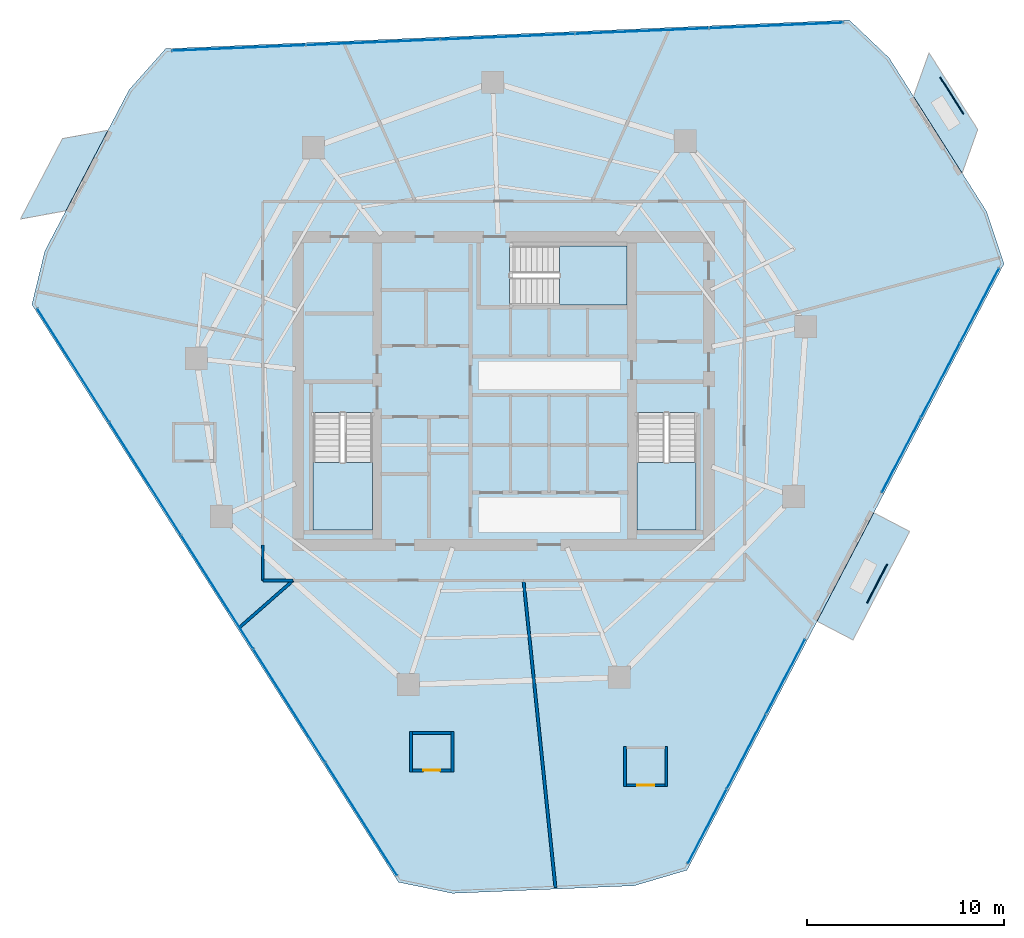
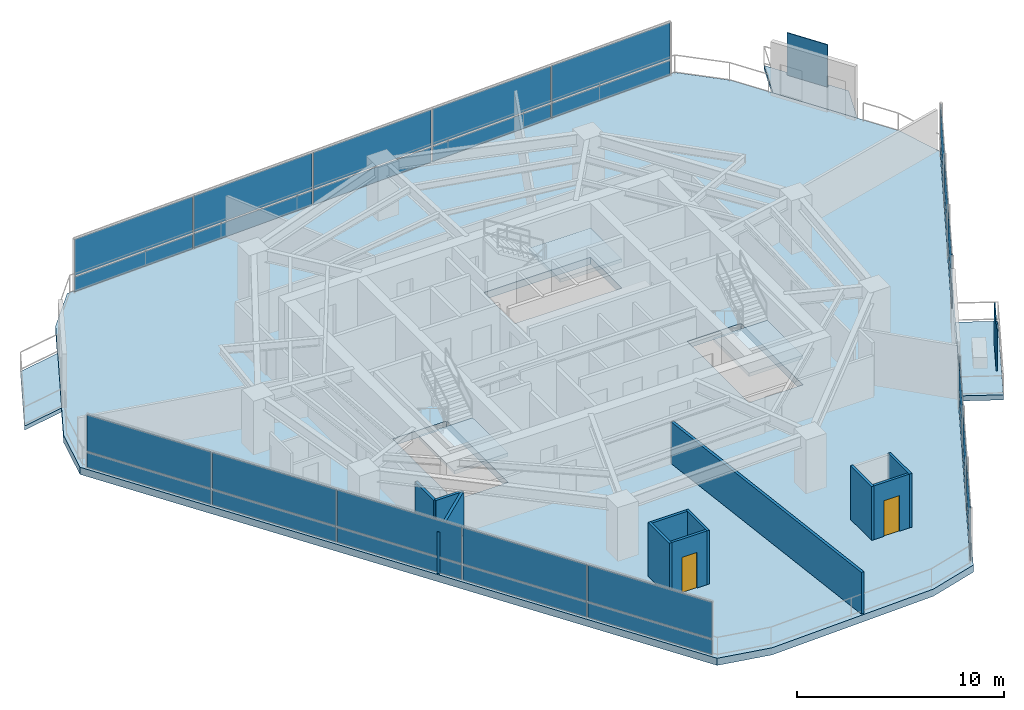
# One storey, part 20 of 25: 34 plates, 11 walls, 7 slabs, 2 doors, 2 openings, 7 elements without a shape of their own.
"""IFC4 building model written with IfcOpenShell, lengths in metres."""

from ifc_helpers import new_model, si_unit, direction, frame, frame_2d, origin, origin_2d, place, context, subcontext, project, spatial, polyline, rectangle, outline, extrude, material, layer, layer_set, type_object, element, fill, aggregate, save


model = new_model("IFC4")

# Units and contexts
model_context = context("Model", 3, precision=1e-05, world=origin(), true_north=direction((0.0, 1.0)))
body_context = subcontext(model_context, "Body", "Model", "MODEL_VIEW")
ifc_project = project(units=[si_unit("LENGTHUNIT", "METRE"), si_unit("AREAUNIT", "SQUARE_METRE"), si_unit("VOLUMEUNIT", "CUBIC_METRE"), si_unit("PLANEANGLEUNIT", "RADIAN"), si_unit("MASSUNIT", "GRAM", prefix="KILO")], contexts=[model_context])

# Site, building, storey
site_placement = place(None, origin())
site = spatial("IfcSite", under=ifc_project, at=site_placement, CompositionType="ELEMENT")
building_placement = place(site_placement, origin())
building = spatial("IfcBuilding", under=site, at=building_placement, Name="Qarnah Convention Tower", CompositionType="ELEMENT")
storey_placement = place(building_placement, frame((0.0, 0.0, 76.35009765625)))
storey = spatial("IfcBuildingStorey", under=building, at=storey_placement, Name="L19", CompositionType="ELEMENT", Elevation=76.35009765625)

# Curtain wall, plates
ifc_material_1 = material(Name="Tempered Low-E dark glass", Category="glass")
ifc_layer_1 = layer(ifc_material_1, 0.169921875)
ifc_layer_set_1 = layer_set([ifc_layer_1], Name="Tempered Low-E dark glass")
curtain_wall_type = type_object("IfcCurtainWallType", Name="CWS-02", PredefinedType="NOTDEFINED", material=ifc_layer_set_1)
curtain_wall_1_placement = place(storey_placement, origin())
curtain_wall_1 = element("IfcCurtainWall", 1, at=curtain_wall_1_placement, inside=storey, type_object=curtain_wall_type, Name="L19 unitised curtain wall CW-L19-F1", PredefinedType="NOTDEFINED")
ifc_layer_2 = layer(ifc_material_1, 0.030029296875)
ifc_layer_set_2 = layer_set([ifc_layer_2], Name="Tempered Low-E dark glass")
plate_type_1 = type_object("IfcPlateType", Name="PNL-T2", PredefinedType="CURTAIN_PANEL", material=ifc_layer_set_2)
plate_1_placement = place(storey_placement, frame((61.312255859375, 30.729248046875, 0.039794921875), z_axis=(0.0, 0.0, 1.0), x_axis=(-0.463305640205, -0.886198557748, 0.0)))
plate_1 = element("IfcPlate", 2, at=plate_1_placement, type_object=plate_type_1, Name="CW-L19-F1 curtain panel 1.1", PredefinedType="CURTAIN_PANEL", context=body_context, shape_type="SweptSolid", body=[
    extrude(rectangle(XDim=4.200927734375, YDim=0.030029296875, at=origin_2d()), origin(), (0.0, 0.0, 1.0), 0.8701171875),
])
plate_2_placement = place(storey_placement, frame((61.312255859375, 30.729248046875, 0.98974609375), z_axis=(0.0, 0.0, 1.0), x_axis=(-0.463305640205, -0.886198557748, 0.0)))
plate_2 = element("IfcPlate", 3, at=plate_2_placement, type_object=plate_type_1, Name="CW-L19-F1 curtain panel 1.2", PredefinedType="CURTAIN_PANEL", context=body_context, shape_type="SweptSolid", body=[
    extrude(rectangle(XDim=4.200927734375, YDim=0.030029296875, at=origin_2d()), origin(), (0.0, 0.0, 1.0), 2.139892578125),
])
plate_3_placement = place(storey_placement, frame((59.3291015625, 26.935546875, 0.039794921875), z_axis=(0.0, 0.0, 1.0), x_axis=(-0.463305640205, -0.886198557748, 0.0)))
plate_3 = element("IfcPlate", 4, at=plate_3_placement, type_object=plate_type_1, Name="CW-L19-F1 curtain panel 2.1", PredefinedType="CURTAIN_PANEL", context=body_context, shape_type="SweptSolid", body=[
    extrude(rectangle(XDim=4.200927734375, YDim=0.030029296875, at=origin_2d()), origin(), (0.0, 0.0, 1.0), 0.8701171875),
])
plate_4_placement = place(storey_placement, frame((59.3291015625, 26.935546875, 0.98974609375), z_axis=(0.0, 0.0, 1.0), x_axis=(-0.463305640205, -0.886198557748, 0.0)))
plate_4 = element("IfcPlate", 5, at=plate_4_placement, type_object=plate_type_1, Name="CW-L19-F1 curtain panel 2.2", PredefinedType="CURTAIN_PANEL", context=body_context, shape_type="SweptSolid", body=[
    extrude(rectangle(XDim=4.200927734375, YDim=0.030029296875, at=origin_2d()), origin(), (0.0, 0.0, 1.0), 2.139892578125),
])
plate_5_placement = place(storey_placement, frame((57.345703125, 23.141845703125, 0.039794921875), z_axis=(0.0, 0.0, 1.0), x_axis=(-0.463305640205, -0.886198557748, 0.0)))
plate_5 = element("IfcPlate", 6, at=plate_5_placement, type_object=plate_type_1, Name="CW-L19-F1 curtain panel 3.1", PredefinedType="CURTAIN_PANEL", context=body_context, shape_type="SweptSolid", body=[
    extrude(rectangle(XDim=4.200927734375, YDim=0.030029296875, at=origin_2d()), origin(), (0.0, 0.0, 1.0), 0.8701171875),
])
plate_6_placement = place(storey_placement, frame((57.345703125, 23.141845703125, 0.98974609375), z_axis=(0.0, 0.0, 1.0), x_axis=(-0.463305640205, -0.886198557748, 0.0)))
plate_6 = element("IfcPlate", 7, at=plate_6_placement, type_object=plate_type_1, Name="CW-L19-F1 curtain panel 3.2", PredefinedType="CURTAIN_PANEL", context=body_context, shape_type="SweptSolid", body=[
    extrude(rectangle(XDim=4.200927734375, YDim=0.030029296875, at=origin_2d()), origin(), (0.0, 0.0, 1.0), 2.139892578125),
])
aggregate(curtain_wall_1, [plate_1, plate_2, plate_3, plate_4, plate_5, plate_6])

curtain_wall_2_placement = place(storey_placement, origin())
curtain_wall_2 = element("IfcCurtainWall", 8, at=curtain_wall_2_placement, inside=storey, type_object=curtain_wall_type, Name="L19 unitised curtain wall CW-L19-F2", PredefinedType="NOTDEFINED")
plate_7_placement = place(storey_placement, frame((51.482421875, 11.92626953125, 0.039794921875), z_axis=(0.0, 0.0, 1.0), x_axis=(-0.463244482257, -0.886230528507, 0.0)))
plate_7 = element("IfcPlate", 9, at=plate_7_placement, type_object=plate_type_1, Name="CW-L19-F2 curtain panel 1.1", PredefinedType="CURTAIN_PANEL", context=body_context, shape_type="SweptSolid", body=[
    extrude(rectangle(XDim=4.20068359375, YDim=0.030029296875, at=origin_2d()), origin(), (0.0, 0.0, 1.0), 0.8701171875),
])
plate_8_placement = place(storey_placement, frame((51.482421875, 11.92626953125, 0.98974609375), z_axis=(0.0, 0.0, 1.0), x_axis=(-0.463244482257, -0.886230528507, 0.0)))
plate_8 = element("IfcPlate", 10, at=plate_8_placement, type_object=plate_type_1, Name="CW-L19-F2 curtain panel 1.2", PredefinedType="CURTAIN_PANEL", context=body_context, shape_type="SweptSolid", body=[
    extrude(rectangle(XDim=4.20068359375, YDim=0.030029296875, at=origin_2d()), origin(), (0.0, 0.0, 1.0), 2.139892578125),
])
plate_9_placement = place(storey_placement, frame((49.49951171875, 8.132568359375, 0.039794921875), z_axis=(0.0, 0.0, 1.0), x_axis=(-0.463244482257, -0.886230528507, 0.0)))
plate_9 = element("IfcPlate", 11, at=plate_9_placement, type_object=plate_type_1, Name="CW-L19-F2 curtain panel 2.1", PredefinedType="CURTAIN_PANEL", context=body_context, shape_type="SweptSolid", body=[
    extrude(rectangle(XDim=4.20068359375, YDim=0.030029296875, at=origin_2d()), origin(), (0.0, 0.0, 1.0), 0.8701171875),
])
plate_10_placement = place(storey_placement, frame((49.49951171875, 8.132568359375, 0.98974609375), z_axis=(0.0, 0.0, 1.0), x_axis=(-0.463244482257, -0.886230528507, 0.0)))
plate_10 = element("IfcPlate", 12, at=plate_10_placement, type_object=plate_type_1, Name="CW-L19-F2 curtain panel 2.2", PredefinedType="CURTAIN_PANEL", context=body_context, shape_type="SweptSolid", body=[
    extrude(rectangle(XDim=4.20068359375, YDim=0.030029296875, at=origin_2d()), origin(), (0.0, 0.0, 1.0), 2.139892578125),
])
plate_11_placement = place(storey_placement, frame((47.5166015625, 4.3388671875, 0.039794921875), z_axis=(0.0, 0.0, 1.0), x_axis=(-0.463244482257, -0.886230528507, 0.0)))
plate_11 = element("IfcPlate", 13, at=plate_11_placement, type_object=plate_type_1, Name="CW-L19-F2 curtain panel 3.1", PredefinedType="CURTAIN_PANEL", context=body_context, shape_type="SweptSolid", body=[
    extrude(rectangle(XDim=4.20068359375, YDim=0.030029296875, at=origin_2d()), origin(), (0.0, 0.0, 1.0), 0.8701171875),
])
plate_12_placement = place(storey_placement, frame((47.5166015625, 4.3388671875, 0.98974609375), z_axis=(0.0, 0.0, 1.0), x_axis=(-0.463244482257, -0.886230528507, 0.0)))
plate_12 = element("IfcPlate", 14, at=plate_12_placement, type_object=plate_type_1, Name="CW-L19-F2 curtain panel 3.2", PredefinedType="CURTAIN_PANEL", context=body_context, shape_type="SweptSolid", body=[
    extrude(rectangle(XDim=4.20068359375, YDim=0.030029296875, at=origin_2d()), origin(), (0.0, 0.0, 1.0), 2.139892578125),
])
aggregate(curtain_wall_2, [plate_7, plate_8, plate_9, plate_10, plate_11, plate_12])

curtain_wall_3_placement = place(storey_placement, origin())
curtain_wall_3 = element("IfcCurtainWall", 15, at=curtain_wall_3_placement, inside=storey, type_object=curtain_wall_type, Name="L19 unitised curtain wall CW-L19-F3", PredefinedType="NOTDEFINED")
plate_13_placement = place(storey_placement, frame((29.990966796875, 4.70263671875, 0.039794921875), z_axis=(0.0, 0.0, 1.0), x_axis=(-0.535845377326, 0.844316132499, 0.0)))
plate_13 = element("IfcPlate", 16, at=plate_13_placement, type_object=plate_type_1, Name="CW-L19-F3 curtain panel 1.1", PredefinedType="CURTAIN_PANEL", context=body_context, shape_type="SweptSolid", body=[
    extrude(rectangle(XDim=6.731689453125, YDim=0.030029296875, at=origin_2d()), origin(), (0.0, 0.0, 1.0), 0.8701171875),
])
plate_14_placement = place(storey_placement, frame((29.990966796875, 4.70263671875, 0.98974609375), z_axis=(0.0, 0.0, 1.0), x_axis=(-0.535845377326, 0.844316132499, 0.0)))
plate_14 = element("IfcPlate", 17, at=plate_14_placement, type_object=plate_type_1, Name="CW-L19-F3 curtain panel 1.2", PredefinedType="CURTAIN_PANEL", context=body_context, shape_type="SweptSolid", body=[
    extrude(rectangle(XDim=6.731689453125, YDim=0.030029296875, at=origin_2d()), origin(), (0.0, 0.0, 1.0), 2.139892578125),
])
plate_15_placement = place(storey_placement, frame((26.341064453125, 10.453857421875, 0.039794921875), z_axis=(0.0, 0.0, 1.0), x_axis=(-0.535845377326, 0.844316132499, 0.0)))
plate_15 = element("IfcPlate", 18, at=plate_15_placement, type_object=plate_type_1, Name="CW-L19-F3 curtain panel 2.1", PredefinedType="CURTAIN_PANEL", context=body_context, shape_type="SweptSolid", body=[
    extrude(rectangle(XDim=6.731689453125, YDim=0.030029296875, at=origin_2d()), origin(), (0.0, 0.0, 1.0), 0.8701171875),
])
plate_16_placement = place(storey_placement, frame((26.341064453125, 10.453857421875, 0.98974609375), z_axis=(0.0, 0.0, 1.0), x_axis=(-0.535845377326, 0.844316132499, 0.0)))
plate_16 = element("IfcPlate", 19, at=plate_16_placement, type_object=plate_type_1, Name="CW-L19-F3 curtain panel 2.2", PredefinedType="CURTAIN_PANEL", context=body_context, shape_type="SweptSolid", body=[
    extrude(rectangle(XDim=6.731689453125, YDim=0.030029296875, at=origin_2d()), origin(), (0.0, 0.0, 1.0), 2.139892578125),
])
plate_17_placement = place(storey_placement, frame((22.69091796875, 16.205078125, 0.039794921875), z_axis=(0.0, 0.0, 1.0), x_axis=(-0.535845377326, 0.844316132499, 0.0)))
plate_17 = element("IfcPlate", 20, at=plate_17_placement, type_object=plate_type_1, Name="CW-L19-F3 curtain panel 3.1", PredefinedType="CURTAIN_PANEL", context=body_context, shape_type="SweptSolid", body=[
    extrude(rectangle(XDim=6.731689453125, YDim=0.030029296875, at=origin_2d()), origin(), (0.0, 0.0, 1.0), 0.8701171875),
])
plate_18_placement = place(storey_placement, frame((22.69091796875, 16.205078125, 0.98974609375), z_axis=(0.0, 0.0, 1.0), x_axis=(-0.535845377326, 0.844316132499, 0.0)))
plate_18 = element("IfcPlate", 21, at=plate_18_placement, type_object=plate_type_1, Name="CW-L19-F3 curtain panel 3.2", PredefinedType="CURTAIN_PANEL", context=body_context, shape_type="SweptSolid", body=[
    extrude(rectangle(XDim=6.731689453125, YDim=0.030029296875, at=origin_2d()), origin(), (0.0, 0.0, 1.0), 2.139892578125),
])
plate_19_placement = place(storey_placement, frame((19.041015625, 21.956298828125, 0.039794921875), z_axis=(0.0, 0.0, 1.0), x_axis=(-0.535845377326, 0.844316132499, 0.0)))
plate_19 = element("IfcPlate", 22, at=plate_19_placement, type_object=plate_type_1, Name="CW-L19-F3 curtain panel 4.1", PredefinedType="CURTAIN_PANEL", context=body_context, shape_type="SweptSolid", body=[
    extrude(rectangle(XDim=6.731689453125, YDim=0.030029296875, at=origin_2d()), origin(), (0.0, 0.0, 1.0), 0.8701171875),
])
plate_20_placement = place(storey_placement, frame((19.041015625, 21.956298828125, 0.98974609375), z_axis=(0.0, 0.0, 1.0), x_axis=(-0.535845377326, 0.844316132499, 0.0)))
plate_20 = element("IfcPlate", 23, at=plate_20_placement, type_object=plate_type_1, Name="CW-L19-F3 curtain panel 4.2", PredefinedType="CURTAIN_PANEL", context=body_context, shape_type="SweptSolid", body=[
    extrude(rectangle(XDim=6.731689453125, YDim=0.030029296875, at=origin_2d()), origin(), (0.0, 0.0, 1.0), 2.139892578125),
])
plate_21_placement = place(storey_placement, frame((15.39111328125, 27.70751953125, 0.039794921875), z_axis=(0.0, 0.0, 1.0), x_axis=(-0.535845377326, 0.844316132499, 0.0)))
plate_21 = element("IfcPlate", 24, at=plate_21_placement, type_object=plate_type_1, Name="CW-L19-F3 curtain panel 5.1", PredefinedType="CURTAIN_PANEL", context=body_context, shape_type="SweptSolid", body=[
    extrude(rectangle(XDim=6.731689453125, YDim=0.030029296875, at=origin_2d()), origin(), (0.0, 0.0, 1.0), 0.8701171875),
])
plate_22_placement = place(storey_placement, frame((15.39111328125, 27.70751953125, 0.98974609375), z_axis=(0.0, 0.0, 1.0), x_axis=(-0.535845377326, 0.844316132499, 0.0)))
plate_22 = element("IfcPlate", 25, at=plate_22_placement, type_object=plate_type_1, Name="CW-L19-F3 curtain panel 5.2", PredefinedType="CURTAIN_PANEL", context=body_context, shape_type="SweptSolid", body=[
    extrude(rectangle(XDim=6.731689453125, YDim=0.030029296875, at=origin_2d()), origin(), (0.0, 0.0, 1.0), 2.139892578125),
])
aggregate(curtain_wall_3, [plate_13, plate_14, plate_15, plate_16, plate_17, plate_18, plate_19, plate_20, plate_21, plate_22])

curtain_wall_4_placement = place(storey_placement, origin())
curtain_wall_4 = element("IfcCurtainWall", 26, at=curtain_wall_4_placement, inside=storey, type_object=curtain_wall_type, Name="L19 unitised curtain wall CW-L19-F4", PredefinedType="NOTDEFINED")
plate_23_placement = place(storey_placement, frame((23.789794921875, 43.772705078125, 0.039794921875), z_axis=(0.0, 0.0, 1.0), x_axis=(0.999123070538, 0.041869916632, 0.0)))
plate_23 = element("IfcPlate", 27, at=plate_23_placement, type_object=plate_type_1, Name="CW-L19-F4 curtain panel 1.1", PredefinedType="CURTAIN_PANEL", context=body_context, shape_type="SweptSolid", body=[
    extrude(rectangle(XDim=6.731689453125, YDim=0.030029296875, at=origin_2d()), origin(), (0.0, 0.0, 1.0), 0.8701171875),
])
plate_24_placement = place(storey_placement, frame((23.789794921875, 43.772705078125, 0.98974609375), z_axis=(0.0, 0.0, 1.0), x_axis=(0.999123070538, 0.041869916632, 0.0)))
plate_24 = element("IfcPlate", 28, at=plate_24_placement, type_object=plate_type_1, Name="CW-L19-F4 curtain panel 1.2", PredefinedType="CURTAIN_PANEL", context=body_context, shape_type="SweptSolid", body=[
    extrude(rectangle(XDim=6.731689453125, YDim=0.030029296875, at=origin_2d()), origin(), (0.0, 0.0, 1.0), 2.139892578125),
])
plate_25_placement = place(storey_placement, frame((30.595458984375, 44.057861328125, 0.039794921875), z_axis=(0.0, 0.0, 1.0), x_axis=(0.999123070538, 0.041869916632, 0.0)))
plate_25 = element("IfcPlate", 29, at=plate_25_placement, type_object=plate_type_1, Name="CW-L19-F4 curtain panel 2.1", PredefinedType="CURTAIN_PANEL", context=body_context, shape_type="SweptSolid", body=[
    extrude(rectangle(XDim=6.731689453125, YDim=0.030029296875, at=origin_2d()), origin(), (0.0, 0.0, 1.0), 0.8701171875),
])
plate_26_placement = place(storey_placement, frame((30.595458984375, 44.057861328125, 0.98974609375), z_axis=(0.0, 0.0, 1.0), x_axis=(0.999123070538, 0.041869916632, 0.0)))
plate_26 = element("IfcPlate", 30, at=plate_26_placement, type_object=plate_type_1, Name="CW-L19-F4 curtain panel 2.2", PredefinedType="CURTAIN_PANEL", context=body_context, shape_type="SweptSolid", body=[
    extrude(rectangle(XDim=6.731689453125, YDim=0.030029296875, at=origin_2d()), origin(), (0.0, 0.0, 1.0), 2.139892578125),
])
plate_27_placement = place(storey_placement, frame((37.40087890625, 44.343017578125, 0.039794921875), z_axis=(0.0, 0.0, 1.0), x_axis=(0.999123070538, 0.041869916632, 0.0)))
plate_27 = element("IfcPlate", 31, at=plate_27_placement, type_object=plate_type_1, Name="CW-L19-F4 curtain panel 3.1", PredefinedType="CURTAIN_PANEL", context=body_context, shape_type="SweptSolid", body=[
    extrude(rectangle(XDim=6.731689453125, YDim=0.030029296875, at=origin_2d()), origin(), (0.0, 0.0, 1.0), 0.8701171875),
])
plate_28_placement = place(storey_placement, frame((37.40087890625, 44.343017578125, 0.98974609375), z_axis=(0.0, 0.0, 1.0), x_axis=(0.999123070538, 0.041869916632, 0.0)))
plate_28 = element("IfcPlate", 32, at=plate_28_placement, type_object=plate_type_1, Name="CW-L19-F4 curtain panel 3.2", PredefinedType="CURTAIN_PANEL", context=body_context, shape_type="SweptSolid", body=[
    extrude(rectangle(XDim=6.731689453125, YDim=0.030029296875, at=origin_2d()), origin(), (0.0, 0.0, 1.0), 2.139892578125),
])
plate_29_placement = place(storey_placement, frame((44.20654296875, 44.628173828125, 0.039794921875), z_axis=(0.0, 0.0, 1.0), x_axis=(0.999123070538, 0.041869916632, 0.0)))
plate_29 = element("IfcPlate", 33, at=plate_29_placement, type_object=plate_type_1, Name="CW-L19-F4 curtain panel 4.1", PredefinedType="CURTAIN_PANEL", context=body_context, shape_type="SweptSolid", body=[
    extrude(rectangle(XDim=6.731689453125, YDim=0.030029296875, at=origin_2d()), origin(), (0.0, 0.0, 1.0), 0.8701171875),
])
plate_30_placement = place(storey_placement, frame((44.20654296875, 44.628173828125, 0.98974609375), z_axis=(0.0, 0.0, 1.0), x_axis=(0.999123070538, 0.041869916632, 0.0)))
plate_30 = element("IfcPlate", 34, at=plate_30_placement, type_object=plate_type_1, Name="CW-L19-F4 curtain panel 4.2", PredefinedType="CURTAIN_PANEL", context=body_context, shape_type="SweptSolid", body=[
    extrude(rectangle(XDim=6.731689453125, YDim=0.030029296875, at=origin_2d()), origin(), (0.0, 0.0, 1.0), 2.139892578125),
])
plate_31_placement = place(storey_placement, frame((51.01220703125, 44.913330078125, 0.039794921875), z_axis=(0.0, 0.0, 1.0), x_axis=(0.999123070538, 0.041869916632, 0.0)))
plate_31 = element("IfcPlate", 35, at=plate_31_placement, type_object=plate_type_1, Name="CW-L19-F4 curtain panel 5.1", PredefinedType="CURTAIN_PANEL", context=body_context, shape_type="SweptSolid", body=[
    extrude(rectangle(XDim=6.731689453125, YDim=0.030029296875, at=origin_2d()), origin(), (0.0, 0.0, 1.0), 0.8701171875),
])
plate_32_placement = place(storey_placement, frame((51.01220703125, 44.913330078125, 0.98974609375), z_axis=(0.0, 0.0, 1.0), x_axis=(0.999123070538, 0.041869916632, 0.0)))
plate_32 = element("IfcPlate", 36, at=plate_32_placement, type_object=plate_type_1, Name="CW-L19-F4 curtain panel 5.2", PredefinedType="CURTAIN_PANEL", context=body_context, shape_type="SweptSolid", body=[
    extrude(rectangle(XDim=6.731689453125, YDim=0.030029296875, at=origin_2d()), origin(), (0.0, 0.0, 1.0), 2.139892578125),
])
aggregate(curtain_wall_4, [plate_23, plate_24, plate_25, plate_26, plate_27, plate_28, plate_29, plate_30, plate_31, plate_32])

# Plates
ifc_material_2 = material(Name="Black anodised aluminium", Category="aluminium")
ifc_layer_3 = layer(ifc_material_2, 0.044921875)
ifc_layer_set_3 = layer_set([ifc_layer_3], Name="Black anodised aluminium")
plate_type_2 = type_object("IfcPlateType", Name="SCR-BAL-18", PredefinedType="USERDEFINED", material=ifc_layer_set_3)
plate_33_placement = place(storey_placement, frame((59.904052734375, 41.35693359375, 0.0), z_axis=(0.0, 0.0, 1.0), x_axis=(0.535848899249, -0.8443138973, 0.0)))
element("IfcPlate", 37, at=plate_33_placement, inside=storey, type_object=plate_type_2, Name="L19 perforated desert solar screen BAL-L19-C1", ObjectType="SCREEN", PredefinedType="USERDEFINED", context=body_context, shape_type="SweptSolid", body=[
    extrude(rectangle(XDim=2.199951171875, YDim=0.044921875, at=origin_2d()), origin(), (0.0, 0.0, 1.0), 2.5),
])
ifc_layer_4 = layer(ifc_material_2, 0.054931640625)
ifc_layer_set_4 = layer_set([ifc_layer_4], Name="Black anodised aluminium")
plate_type_3 = type_object("IfcPlateType", Name="SCR-SKG-24", PredefinedType="USERDEFINED", material=ifc_layer_set_4)
plate_34_placement = place(storey_placement, frame((56.12109375, 16.64208984375, 0.0), z_axis=(0.0, 0.0, 1.0), x_axis=(-0.463204776359, -0.886251282176, 0.0)))
element("IfcPlate", 38, at=plate_34_placement, inside=storey, type_object=plate_type_3, Name="L19 perforated desert solar screen SG-L19", ObjectType="SCREEN", PredefinedType="USERDEFINED", context=body_context, shape_type="SweptSolid", body=[
    extrude(rectangle(XDim=2.199951171875, YDim=0.054931640625, at=origin_2d()), origin(), (0.0, 0.0, 1.0), 2.5),
])

# Slabs
ifc_material_3 = material(Name="Concrete C45/55", Category="concrete")
ifc_layer_5 = layer(ifc_material_3, 0.239990234375)
ifc_layer_set_5 = layer_set([ifc_layer_5], Name="Concrete C45/55")
slab_type_1 = type_object("IfcSlabType", Name="SLB-BAL-240", PredefinedType="USERDEFINED", material=ifc_layer_set_5)
slab_1_placement = place(storey_placement, frame((0.0, 0.0, -0.239990234375)))
element("IfcSlab", 39, at=slab_1_placement, inside=storey, type_object=slab_type_1, Name="L19 cantilevered balcony slab BAL-L19-C1", ObjectType="BALCONY", PredefinedType="USERDEFINED", context=body_context, shape_type="SweptSolid", body=[
    extrude(outline(polyline([(58.751953125, 43.52490234375), (61.217041015625, 39.64111328125), (60.428955078125, 37.430908203125), (57.965087890625, 41.31494140625), (58.751953125, 43.52490234375)])), origin(), (0.0, 0.0, 1.0), 0.239990234375),
])
slab_2_placement = place(storey_placement, frame((0.0, 0.0, -0.239990234375)))
element("IfcSlab", 40, at=slab_2_placement, inside=storey, type_object=slab_type_1, Name="L19 cantilevered balcony slab BAL-L19-C2", ObjectType="BALCONY", PredefinedType="USERDEFINED", context=body_context, shape_type="SweptSolid", body=[
    extrude(outline(polyline([(12.72412109375, 35.10302734375), (14.85498046875, 39.179931640625), (17.1630859375, 39.60302734375), (15.031982421875, 35.527099609375), (12.72412109375, 35.10302734375)])), origin(), (0.0, 0.0, 1.0), 0.239990234375),
])

# Stair, slab
ifc_material_4 = material(Name="Concrete C50/60", Category="concrete")
stair_type = type_object("IfcStairType", Name="STR-HTL", PredefinedType="HALF_TURN_STAIR", material=ifc_material_4)
stair_1_placement = place(storey_placement, origin())
stair_1 = element("IfcStair", 41, at=stair_1_placement, inside=storey, type_object=stair_type, Name="L19 Core exit stair ST-1", PredefinedType="HALF_TURN_STAIR")
ifc_layer_6 = layer(ifc_material_4, 0.199951171875)
ifc_layer_set_6 = layer_set([ifc_layer_6], Name="Concrete C50/60")
slab_type_2 = type_object("IfcSlabType", Name="SLB-LANDING-200", PredefinedType="LANDING", material=ifc_layer_set_6)
slab_3_placement = place(storey_placement, frame((0.0, 0.0, 1.52490234375)))
slab_3 = element("IfcSlab", 42, at=slab_3_placement, type_object=slab_type_2, Name="ST-1 landing 1", PredefinedType="LANDING", context=body_context, shape_type="SweptSolid", body=[
    extrude(outline(polyline([(27.550048828125, 22.780029296875), (27.550048828125, 19.35009765625), (30.550048828125, 19.35009765625), (30.550048828125, 22.780029296875), (27.550048828125, 22.780029296875)])), origin(), (0.0, 0.0, 1.0), 0.199951171875),
])
aggregate(stair_1, [slab_3])

stair_2_placement = place(storey_placement, origin())
stair_2 = element("IfcStair", 43, at=stair_2_placement, inside=storey, type_object=stair_type, Name="L19 Core exit stair ST-2", PredefinedType="HALF_TURN_STAIR")
slab_4_placement = place(storey_placement, frame((0.0, 0.0, 1.52490234375)))
slab_4 = element("IfcSlab", 44, at=slab_4_placement, type_object=slab_type_2, Name="ST-2 landing 1", PredefinedType="LANDING", context=body_context, shape_type="SweptSolid", body=[
    extrude(outline(polyline([(43.949951171875, 22.780029296875), (43.949951171875, 19.35009765625), (46.949951171875, 19.35009765625), (46.949951171875, 22.780029296875), (43.949951171875, 22.780029296875)])), origin(), (0.0, 0.0, 1.0), 0.199951171875),
])
aggregate(stair_2, [slab_4])

stair_3_placement = place(storey_placement, origin())
stair_3 = element("IfcStair", 45, at=stair_3_placement, inside=storey, type_object=stair_type, Name="L19 Core exit stair ST-3", PredefinedType="HALF_TURN_STAIR")
slab_5_placement = place(storey_placement, frame((0.0, 0.0, 1.52490234375)))
slab_5 = element("IfcSlab", 46, at=slab_5_placement, type_object=slab_type_2, Name="ST-3 landing 1", PredefinedType="LANDING", context=body_context, shape_type="SweptSolid", body=[
    extrude(outline(polyline([(40.02001953125, 30.75), (43.449951171875, 30.75), (43.449951171875, 33.75), (40.02001953125, 33.75), (40.02001953125, 30.75)])), origin(), (0.0, 0.0, 1.0), 0.199951171875),
])
aggregate(stair_3, [slab_5])

# Slabs
ifc_layer_7 = layer(ifc_material_4, 0.300048828125)
ifc_layer_set_7 = layer_set([ifc_layer_7], Name="Concrete C50/60")
slab_type_3 = type_object("IfcSlabType", Name="SLB-SKG-300", PredefinedType="USERDEFINED", material=ifc_layer_set_7)
slab_6_placement = place(storey_placement, frame((0.0, 0.0, -0.300048828125)))
element("IfcSlab", 47, at=slab_6_placement, inside=storey, type_object=slab_type_3, Name="L19 cantilevered balcony slab SG-L19", ObjectType="BALCONY", PredefinedType="USERDEFINED", context=body_context, shape_type="SweptSolid", body=[
    extrude(outline(polyline([(54.3740234375, 17.20703125), (55.952880859375, 20.22802734375), (57.77001953125, 19.278076171875), (54.89794921875, 13.782958984375), (53.0810546875, 14.73291015625), (54.3740234375, 17.20703125)])), origin(), (0.0, 0.0, 1.0), 0.300048828125),
])
ifc_layer_8 = layer(ifc_material_4, 0.419921875)
ifc_layer_set_8 = layer_set([ifc_layer_8], Name="Concrete C50/60")
slab_type_4 = type_object("IfcSlabType", Name="SLB-TRF-420", PredefinedType="FLOOR", material=ifc_layer_set_8)
slab_7_placement = place(storey_placement, frame((0.0, 0.0, -0.420166015625)))
element("IfcSlab", 48, at=slab_7_placement, inside=storey, type_object=slab_type_4, Name="L19 structural floor slab", PredefinedType="FLOOR", context=body_context, shape_type="SweptSolid", body=[
    extrude(outline(polyline([(54.7099609375, 45.18798828125), (20.08203125, 43.737060546875), (18.22705078125, 41.64697265625), (13.9619140625, 33.488037109375), (13.303955078125, 30.77197265625), (31.875, 1.509033203125), (34.613037109375, 0.947021484375), (43.81103515625, 1.33203125), (46.491943359375, 2.12109375), (62.549072265625, 32.8359375), (61.6669921875, 35.488037109375), (56.73388671875, 43.260986328125), (54.7099609375, 45.18798828125)]), holes=[polyline([(27.550048828125, 25.300048828125), (27.550048828125, 19.35009765625), (30.550048828125, 19.35009765625), (30.550048828125, 25.300048828125), (27.550048828125, 25.300048828125)]), polyline([(43.949951171875, 25.300048828125), (43.949951171875, 19.35009765625), (46.949951171875, 19.35009765625), (46.949951171875, 25.300048828125), (43.949951171875, 25.300048828125)]), polyline([(37.5, 30.75), (43.449951171875, 30.75), (43.449951171875, 33.75), (37.5, 33.75), (37.5, 30.75)])]), origin(), (0.0, 0.0, 1.0), 0.420166015625),
])

# Walls
ifc_material_5 = material(Name="Gypsum partition board")
ifc_layer_9 = layer(ifc_material_5, 0.14990234375)
ifc_layer_set_9 = layer_set([ifc_layer_9], Name="Gypsum partition board")
wall_type_1 = type_object("IfcWallType", Name="WL-SUITE-150", PredefinedType="PARTITIONING", material=ifc_layer_set_9)
wall_1_placement = place(storey_placement, frame((23.79296875, 14.39111328125, 0.0), z_axis=(0.0, 0.0, 1.0), x_axis=(0.751631776081, 0.659582953983, 0.0)))
element("IfcWall", 49, at=wall_1_placement, inside=storey, type_object=wall_type_1, Name="L19 interior wall IW-L19-R-24", PredefinedType="PARTITIONING", context=body_context, shape_type="SweptSolid", body=[
    extrude(rectangle(XDim=3.652099609375, YDim=0.14990234375, at=frame_2d((1.826171875, 0.0))), origin(), (0.0, 0.0, 1.0), 2.454833984375),
])
wall_2_placement = place(storey_placement, frame((26.5380859375, 16.800048828125, 0.0), z_axis=(0.0, 0.0, 1.0), x_axis=(-1.0, 0.0, 0.0)))
element("IfcWall", 50, at=wall_2_placement, inside=storey, type_object=wall_type_1, Name="L19 interior wall IW-L19-R-25", PredefinedType="PARTITIONING", context=body_context, shape_type="SweptSolid", body=[
    extrude(rectangle(XDim=1.5380859375, YDim=0.14990234375, at=frame_2d((0.76904296875, 0.0))), origin(), (0.0, 0.0, 1.0), 2.454833984375),
])
wall_3_placement = place(storey_placement, frame((25.0, 16.800048828125, 0.0), z_axis=(0.0, 0.0, 1.0), x_axis=(0.0, 1.0, 0.0)))
element("IfcWall", 51, at=wall_3_placement, inside=storey, type_object=wall_type_1, Name="L19 interior wall IW-L19-R-26", PredefinedType="PARTITIONING", context=body_context, shape_type="SweptSolid", body=[
    extrude(rectangle(XDim=1.800048828125, YDim=0.14990234375, at=frame_2d((0.89990234375, 0.0))), origin(), (0.0, 0.0, 1.0), 2.454833984375),
])
wall_4_placement = place(storey_placement, frame((39.825927734375, 1.2451171875, 0.0), z_axis=(0.0, 0.0, 1.0), x_axis=(-0.103393409404, 0.994640539538, 0.0)))
element("IfcWall", 52, at=wall_4_placement, inside=storey, type_object=wall_type_1, Name="L19 interior wall IW-L19-R-28", PredefinedType="PARTITIONING", context=body_context, shape_type="SweptSolid", body=[
    extrude(rectangle(XDim=15.638671875, YDim=0.14990234375, at=frame_2d((7.8193359375, 0.0))), origin(), (0.0, 0.0, 1.0), 2.454833984375),
])

# Wall, opening, door
ifc_layer_10 = layer(ifc_material_5, 0.139892578125)
ifc_layer_set_10 = layer_set([ifc_layer_10], Name="Gypsum partition board")
wall_type_2 = type_object("IfcWallType", Name="WL-WET-140", PredefinedType="PARTITIONING", material=ifc_layer_set_10)
wall_5_placement = place(storey_placement, frame((32.445068359375, 7.174072265625, 0.0), z_axis=(0.0, 0.0, 1.0), x_axis=(1.0, 0.0, 0.0)))
wall_5 = element("IfcWall", 53, at=wall_5_placement, inside=storey, type_object=wall_type_2, Name="L19 interior wall IW-L19-ENS04-1", PredefinedType="PARTITIONING", context=body_context, shape_type="SweptSolid", body=[
    extrude(rectangle(XDim=2.239990234375, YDim=0.139892578125, at=frame_2d((1.1201171875, 0.0))), origin(), (0.0, 0.0, 1.0), 3.169921875),
])
opening_1_placement = place(wall_5_placement, frame((0.695068359375, 0.0, 0.0)))
opening_1 = element("IfcOpeningElement", 54, at=opening_1_placement, cuts=wall_5, Name="Opening D-1922", PredefinedType="OPENING", context=body_context, shape_type="SweptSolid", body=[
    extrude(rectangle(XDim=0.85009765625, YDim=2.10009765625, at=frame_2d((0.425048828125, 1.050048828125))), frame((0.0, 0.079833984375, 0.0), z_axis=(0.0, -1.0, 0.0), x_axis=(1.0, 0.0, 0.0)), (0.0, 0.0, 1.0), 0.159912109375),
])
ifc_material_6 = material(Name="Oak timber veneer", Category="wood")
door_type = type_object("IfcDoorType", Name="DT-BATH-850", OperationType="NOTDEFINED", PredefinedType="DOOR", material=ifc_material_6)
door_1_placement = place(opening_1_placement, origin())
door_1 = element("IfcDoor", 55, at=door_1_placement, inside=storey, type_object=door_type, Name="Door D-1922", OperationType="SINGLE_SWING_RIGHT", OverallHeight=2.10009765625, OverallWidth=0.85009765625, PredefinedType="DOOR", context=body_context, shape_type="SweptSolid", body=[
    extrude(rectangle(XDim=0.85009765625, YDim=2.10009765625, at=frame_2d((0.425048828125, 1.050048828125))), frame((0.0, 0.02490234375, 0.0), z_axis=(0.0, -1.0, 0.0), x_axis=(1.0, 0.0, 0.0)), (0.0, 0.0, 1.0), 0.050048828125),
])
fill(opening_1, door_1)

# Walls
wall_6_placement = place(storey_placement, frame((34.614990234375, 7.10400390625, 0.0), z_axis=(0.0, 0.0, 1.0), x_axis=(0.0, 1.0, 0.0)))
element("IfcWall", 56, at=wall_6_placement, inside=storey, type_object=wall_type_2, Name="L19 interior wall IW-L19-ENS04-2", PredefinedType="PARTITIONING", context=body_context, shape_type="SweptSolid", body=[
    extrude(rectangle(XDim=2.0400390625, YDim=0.139892578125, at=frame_2d((1.02001953125, 0.0))), origin(), (0.0, 0.0, 1.0), 3.169921875),
])
wall_7_placement = place(storey_placement, frame((34.68505859375, 9.073974609375, 0.0), z_axis=(0.0, 0.0, 1.0), x_axis=(-1.0, 0.0, 0.0)))
element("IfcWall", 57, at=wall_7_placement, inside=storey, type_object=wall_type_2, Name="L19 interior wall IW-L19-ENS04-3", PredefinedType="PARTITIONING", context=body_context, shape_type="SweptSolid", body=[
    extrude(rectangle(XDim=2.239990234375, YDim=0.139892578125, at=frame_2d((1.1201171875, 0.0))), origin(), (0.0, 0.0, 1.0), 3.169921875),
])
wall_8_placement = place(storey_placement, frame((32.514892578125, 9.14404296875, 0.0), z_axis=(0.0, 0.0, 1.0), x_axis=(0.0, -1.0, 0.0)))
element("IfcWall", 58, at=wall_8_placement, inside=storey, type_object=wall_type_2, Name="L19 interior wall IW-L19-ENS04-4", PredefinedType="PARTITIONING", context=body_context, shape_type="SweptSolid", body=[
    extrude(rectangle(XDim=2.0400390625, YDim=0.139892578125, at=frame_2d((1.02001953125, 0.0))), origin(), (0.0, 0.0, 1.0), 3.169921875),
])

# Wall, opening, door
wall_9_placement = place(storey_placement, frame((43.27490234375, 6.425048828125, 0.0), z_axis=(0.0, 0.0, 1.0), x_axis=(1.0, 0.0, 0.0)))
wall_9 = element("IfcWall", 59, at=wall_9_placement, inside=storey, type_object=wall_type_2, Name="L19 interior wall IW-L19-ENS05-1", PredefinedType="PARTITIONING", context=body_context, shape_type="SweptSolid", body=[
    extrude(rectangle(XDim=2.239990234375, YDim=0.139892578125, at=frame_2d((1.1201171875, 0.0))), origin(), (0.0, 0.0, 1.0), 3.169921875),
])
opening_2_placement = place(wall_9_placement, frame((0.695068359375, 0.0, 0.0)))
opening_2 = element("IfcOpeningElement", 60, at=opening_2_placement, cuts=wall_9, Name="Opening D-1924", PredefinedType="OPENING", context=body_context, shape_type="SweptSolid", body=[
    extrude(rectangle(XDim=0.85009765625, YDim=2.10009765625, at=frame_2d((0.425048828125, 1.050048828125))), frame((0.0, 0.079833984375, 0.0), z_axis=(0.0, -1.0, 0.0), x_axis=(1.0, 0.0, 0.0)), (0.0, 0.0, 1.0), 0.159912109375),
])
door_2_placement = place(opening_2_placement, origin())
door_2 = element("IfcDoor", 61, at=door_2_placement, inside=storey, type_object=door_type, Name="Door D-1924", OperationType="SINGLE_SWING_RIGHT", OverallHeight=2.10009765625, OverallWidth=0.85009765625, PredefinedType="DOOR", context=body_context, shape_type="SweptSolid", body=[
    extrude(rectangle(XDim=0.85009765625, YDim=2.10009765625, at=frame_2d((0.425048828125, 1.050048828125))), frame((0.0, 0.02490234375, 0.0), z_axis=(0.0, -1.0, 0.0), x_axis=(1.0, 0.0, 0.0)), (0.0, 0.0, 1.0), 0.050048828125),
])
fill(opening_2, door_2)

# Walls
for number, where, z_axis, x_axis, name in (
    (62, (45.445068359375, 6.35498046875, 0.0), (0.0, 0.0, 1.0), (0.0, 1.0, 0.0), "L19 interior wall IW-L19-ENS05-2"),
    (63, (43.344970703125, 8.39501953125, 0.0), (0.0, 0.0, 1.0), (0.0, -1.0, 0.0), "L19 interior wall IW-L19-ENS05-4"),
):
    element("IfcWall", number, at=place(storey_placement, frame(where, z_axis=z_axis, x_axis=x_axis)), inside=storey, type_object=wall_type_2, Name=name, PredefinedType="PARTITIONING", context=body_context, shape_type="SweptSolid", body=[
        extrude(rectangle(XDim=2.0400390625, YDim=0.139892578125, at=frame_2d((1.02001953125, 0.0))), origin(), (0.0, 0.0, 1.0), 3.169921875),
    ])

save(model, "model.ifc")
